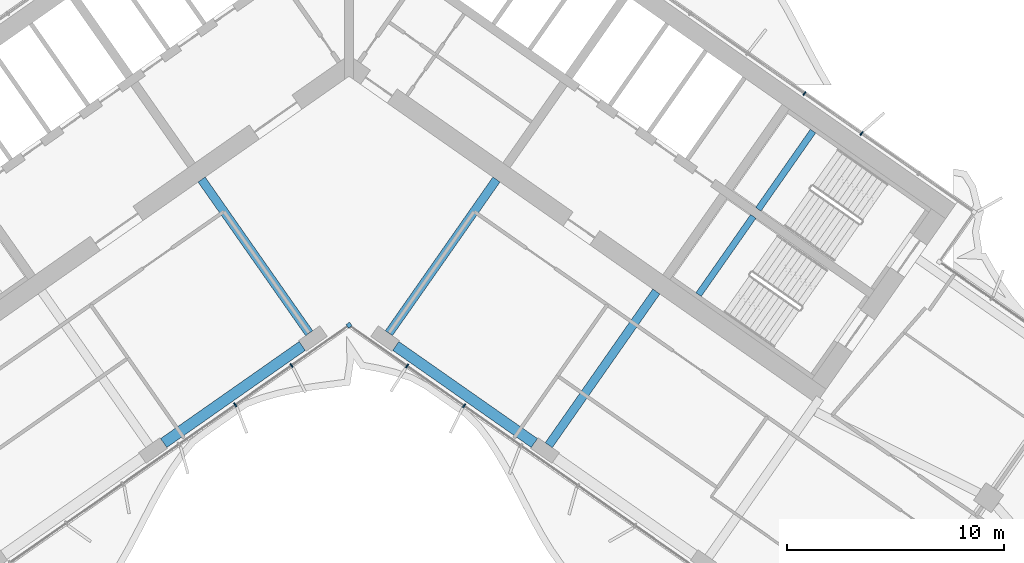
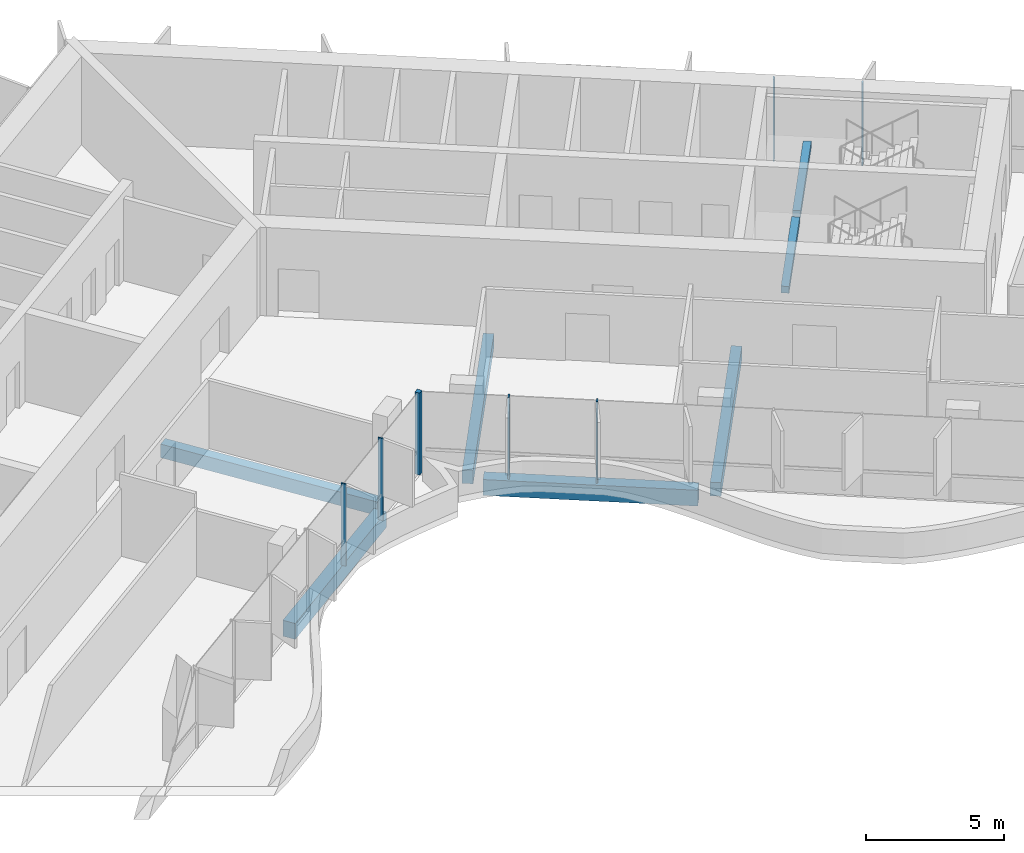
# One storey, part 6 of 21: 7 beams, 7 members, 2 elements without a shape of their own.
"""IFC4 building model written with IfcOpenShell, lengths in metres."""

from ifc_helpers import new_model, si_unit, direction, frame, origin, origin_2d, place, context, subcontext, project, spatial, rectangle, extrude, material, material_profile, profile_set, type_object, element, aggregate, save


model = new_model("IFC4")

# Units and contexts
model_context = context("Model", 3, precision=1e-05, world=origin(), true_north=direction((0.0, 1.0)))
body_context = subcontext(model_context, "Body", "Model", "MODEL_VIEW")
ifc_project = project(units=[si_unit("LENGTHUNIT", "METRE"), si_unit("AREAUNIT", "SQUARE_METRE"), si_unit("VOLUMEUNIT", "CUBIC_METRE"), si_unit("PLANEANGLEUNIT", "RADIAN"), si_unit("MASSUNIT", "GRAM", prefix="KILO")], contexts=[model_context])

# Site, building, storey
site_placement = place(None, origin())
site = spatial("IfcSite", under=ifc_project, at=site_placement, CompositionType="ELEMENT")
building_placement = place(site_placement, origin())
building = spatial("IfcBuilding", under=site, at=building_placement, Name="Tel Ilan Convention Tower", CompositionType="ELEMENT")
storey_placement = place(building_placement, frame((0.0, 0.0, 159.300048828125)))
storey = spatial("IfcBuildingStorey", under=building, at=storey_placement, Name="L36", CompositionType="ELEMENT", Elevation=159.300048828125)

# Beams
ifc_material_1 = material(Name="Concrete C40/50", Category="concrete")
ifc_material_profile_1 = material_profile(ifc_material_1, rectangle(XDim=0.39990234375, YDim=0.60009765625, at=origin_2d()), Name="RC 400x600")
ifc_profile_set_1 = profile_set([ifc_material_profile_1], Name="Concrete C40/50")
beam_type_1 = type_object("IfcBeamType", Name="Beam RC 400x600 Concrete C40/50", PredefinedType="BEAM", material=ifc_profile_set_1)
for number, where, z_axis, x_axis, name in (
    (1, (-1.83740234375, -13.06689453125, -0.580078125), (-0.573574099654, 0.819153680457, 0.0), (-0.819153680457, -0.573574099654, 0.0), "L36 beam W-W-F1-core"),
    (2, (1.83740234375, -13.06689453125, -0.580078125), (0.573574099654, 0.819153680457, 0.0), (-0.819153680457, 0.573574099654, 0.0), "L36 beam E-E-F1-core"),
    (3, (9.209716796875, -18.229248046875, -0.580078125), (0.573574099654, 0.819153680457, 0.0), (-0.819153680457, 0.573574099654, 0.0), "L36 beam E-E-F2-core"),
):
    element("IfcBeam", number, at=place(storey_placement, frame(where, z_axis=z_axis, x_axis=x_axis)), inside=storey, type_object=beam_type_1, Name=name, PredefinedType="BEAM", context=body_context, shape_type="SweptSolid", body=[
        extrude(rectangle(XDim=0.39990234375, YDim=0.60009765625, at=origin_2d()), origin(), (0.0, 0.0, 1.0), 8.64990234375),
    ])
ifc_material_2 = material(Name="Concrete C40/50", Category="concrete")
ifc_material_profile_2 = material_profile(ifc_material_2, rectangle(XDim=0.5, YDim=0.699951171875, at=origin_2d()), Name="RC 500x700")
ifc_profile_set_2 = profile_set([ifc_material_profile_2], Name="Concrete C40/50")
beam_type_2 = type_object("IfcBeamType", Name="Beam RC 500x700 Concrete C40/50", PredefinedType="BEAM", material=ifc_profile_set_2)
for number, where, z_axis, x_axis, name in (
    (4, (-2.15673828125, -13.656982421875, -0.630126953125), (-0.819153977895, -0.573573674866, 0.0), (0.573573674866, -0.819153977895, 0.0), "L36 beam W-W-F1-W-F2"),
    (5, (2.15673828125, -13.656982421875, -0.630126953125), (0.819153977895, -0.573573674866, 0.0), (0.573573674866, 0.819153977895, 0.0), "L36 beam E-E-F1-E-F2"),
):
    element("IfcBeam", number, at=place(storey_placement, frame(where, z_axis=z_axis, x_axis=x_axis)), inside=storey, type_object=beam_type_2, Name=name, PredefinedType="BEAM", context=body_context, shape_type="SweptSolid", body=[
        extrude(rectangle(XDim=0.5, YDim=0.699951171875, at=origin_2d()), origin(), (0.0, 0.0, 1.0), 7.800048828125),
    ])

# Curtain wall, member
ifc_material_3 = material(Name="Aluminium, bronze anodised", Category="aluminium")
curtain_wall_type_1 = type_object("IfcCurtainWallType", Name="CW4 STICK CURTAIN WALL, OFFICE TINTED GLASS", PredefinedType="NOTDEFINED", material=ifc_material_3)
curtain_wall_1_placement = place(storey_placement, origin())
curtain_wall_1 = element("IfcCurtainWall", 6, at=curtain_wall_1_placement, inside=storey, type_object=curtain_wall_type_1, Name="Curtain wall CW4-28.02", PredefinedType="NOTDEFINED")
ifc_material_4 = material(Name="Aluminium, bronze anodised", Category="aluminium")
ifc_material_profile_3 = material_profile(ifc_material_4, rectangle(XDim=0.199951171875, YDim=0.199951171875, at=origin_2d()), Name="CW CORNER MULLION 200x200")
ifc_profile_set_3 = profile_set([ifc_material_profile_3], Name="Aluminium, bronze anodised")
member_type_1 = type_object("IfcMemberType", Name="CW CORNER MULLION 200x200", PredefinedType="MULLION", material=ifc_profile_set_3)
member_1_placement = place(storey_placement, frame((0.0, -12.696044921875, 0.0), z_axis=(0.0, 0.0, 1.0), x_axis=(0.819152044289, 0.573576436351, 0.0)))
member_1 = element("IfcMember", 7, at=member_1_placement, type_object=member_type_1, Name="Corner mullion", PredefinedType="MULLION", context=body_context, shape_type="SweptSolid", body=[
    extrude(rectangle(XDim=0.199951171875, YDim=0.199951171875, at=origin_2d()), origin(), (0.0, 0.0, 1.0), 3.619873046875),
])

# Curtain wall, members
ifc_material_5 = material(Name="Aluminium, bronze anodised", Category="aluminium")
curtain_wall_type_2 = type_object("IfcCurtainWallType", Name="CW2 STICK CURTAIN WALL, SPANDREL PANELS", PredefinedType="NOTDEFINED", material=ifc_material_5)
curtain_wall_2_placement = place(storey_placement, origin())
curtain_wall_2 = element("IfcCurtainWall", 8, at=curtain_wall_2_placement, inside=storey, type_object=curtain_wall_type_2, Name="Curtain wall CW2-28.01", PredefinedType="NOTDEFINED")
ifc_material_6 = material(Name="Aluminium, bronze anodised", Category="aluminium")
ifc_material_profile_4 = material_profile(ifc_material_6, rectangle(XDim=0.06005859375, YDim=0.199951171875, at=origin_2d()), Name="CW MULLION 60x200")
ifc_profile_set_4 = profile_set([ifc_material_profile_4], Name="Aluminium, bronze anodised")
member_type_2 = type_object("IfcMemberType", Name="CW MULLION 60x200", PredefinedType="MULLION", material=ifc_profile_set_4)
member_2_placement = place(storey_placement, frame((23.63623046875, -3.854248046875, 0.0), z_axis=(0.0, 0.0, 1.0), x_axis=(-0.819152044289, 0.573576436351, 0.0)))
member_2 = element("IfcMember", 9, at=member_2_placement, type_object=member_type_2, Name="Mullion", PredefinedType="MULLION", context=body_context, shape_type="SweptSolid", body=[
    extrude(rectangle(XDim=0.06005859375, YDim=0.199951171875, at=origin_2d()), origin(), (0.0, 0.0, 1.0), 3.619873046875),
])
member_3_placement = place(storey_placement, frame((21.003662109375, -2.0107421875, 0.0), z_axis=(0.0, 0.0, 1.0), x_axis=(-0.819152044289, 0.573576436351, 0.0)))
member_3 = element("IfcMember", 10, at=member_3_placement, type_object=member_type_2, Name="Mullion", PredefinedType="MULLION", context=body_context, shape_type="SweptSolid", body=[
    extrude(rectangle(XDim=0.06005859375, YDim=0.199951171875, at=origin_2d()), origin(), (0.0, 0.0, 1.0), 3.619873046875),
])
aggregate(curtain_wall_2, [member_2, member_3])

# Member
member_4_placement = place(storey_placement, frame((-5.24755859375, -16.370361328125, 0.0), z_axis=(0.0, 0.0, 1.0), x_axis=(0.819152044289, 0.573576436351, 0.0)))
member_4 = element("IfcMember", 11, at=member_4_placement, type_object=member_type_2, Name="Mullion", PredefinedType="MULLION", context=body_context, shape_type="SweptSolid", body=[
    extrude(rectangle(XDim=0.06005859375, YDim=0.199951171875, at=origin_2d()), origin(), (0.0, 0.0, 1.0), 3.619873046875),
])

member_5_placement = place(storey_placement, frame((-2.65234375, -14.55322265625, 0.0), z_axis=(0.0, 0.0, 1.0), x_axis=(0.819152044289, 0.573576436351, 0.0)))
member_5 = element("IfcMember", 12, at=member_5_placement, type_object=member_type_2, Name="Mullion", PredefinedType="MULLION", context=body_context, shape_type="SweptSolid", body=[
    extrude(rectangle(XDim=0.06005859375, YDim=0.199951171875, at=origin_2d()), origin(), (0.0, 0.0, 1.0), 3.619873046875),
])

member_6_placement = place(storey_placement, frame((2.6826171875, -14.574462890625, 0.0), z_axis=(0.0, 0.0, 1.0), x_axis=(0.819152044289, -0.573576436351, 0.0)))
member_6 = element("IfcMember", 13, at=member_6_placement, type_object=member_type_2, Name="Mullion", PredefinedType="MULLION", context=body_context, shape_type="SweptSolid", body=[
    extrude(rectangle(XDim=0.06005859375, YDim=0.199951171875, at=origin_2d()), origin(), (0.0, 0.0, 1.0), 3.619873046875),
])

member_7_placement = place(storey_placement, frame((5.307861328125, -16.41259765625, 0.0), z_axis=(0.0, 0.0, 1.0), x_axis=(0.819152044289, -0.573576436351, 0.0)))
member_7 = element("IfcMember", 14, at=member_7_placement, type_object=member_type_2, Name="Mullion", PredefinedType="MULLION", context=body_context, shape_type="SweptSolid", body=[
    extrude(rectangle(XDim=0.06005859375, YDim=0.199951171875, at=origin_2d()), origin(), (0.0, 0.0, 1.0), 3.619873046875),
])

aggregate(curtain_wall_1, [member_4, member_5, member_1, member_6, member_7])

# Beams
ifc_material_7 = material(Name="Concrete C40/50", Category="concrete")
ifc_material_profile_5 = material_profile(ifc_material_7, rectangle(XDim=0.300048828125, YDim=0.300048828125, at=origin_2d()), Name="RC 300x300")
ifc_profile_set_5 = profile_set([ifc_material_profile_5], Name="Concrete C40/50")
beam_type_3 = type_object("IfcBeamType", Name="Landing Beam RC 300x300 Concrete C40/50", PredefinedType="BEAM", material=ifc_profile_set_5)
beam_1_placement = place(storey_placement, frame((21.39404296875, -3.7490234375, 1.599853515625), z_axis=(-0.57354426506, -0.819174569928, 0.0), x_axis=(0.819174569928, -0.57354426506, 0.0)))
element("IfcBeam", 15, at=beam_1_placement, inside=storey, type_object=beam_type_3, Name="S3 landing beam L36.1", PredefinedType="BEAM", context=body_context, shape_type="SweptSolid", body=[
    extrude(rectangle(XDim=0.300048828125, YDim=0.300048828125, at=origin_2d()), origin(), (0.0, 0.0, 1.0), 4.400146484375),
])
beam_2_placement = place(storey_placement, frame((18.640869140625, -7.68115234375, 1.599853515625), z_axis=(-0.573570334442, -0.819156316858, 0.0), x_axis=(0.819156316858, -0.573570334442, 0.0)))
element("IfcBeam", 16, at=beam_2_placement, inside=storey, type_object=beam_type_3, Name="S4 landing beam L36.1", PredefinedType="BEAM", context=body_context, shape_type="SweptSolid", body=[
    extrude(rectangle(XDim=0.300048828125, YDim=0.300048828125, at=origin_2d()), origin(), (0.0, 0.0, 1.0), 4.39990234375),
])

save(model, "model.ifc")
